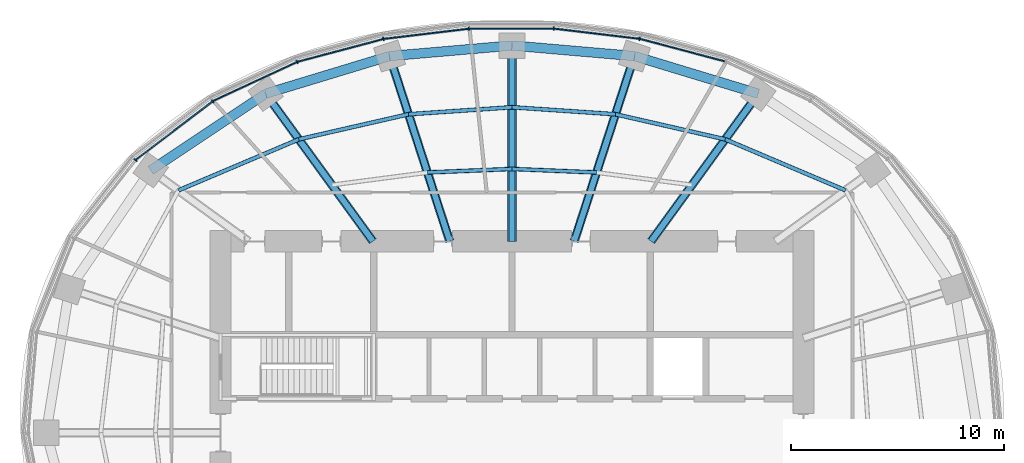
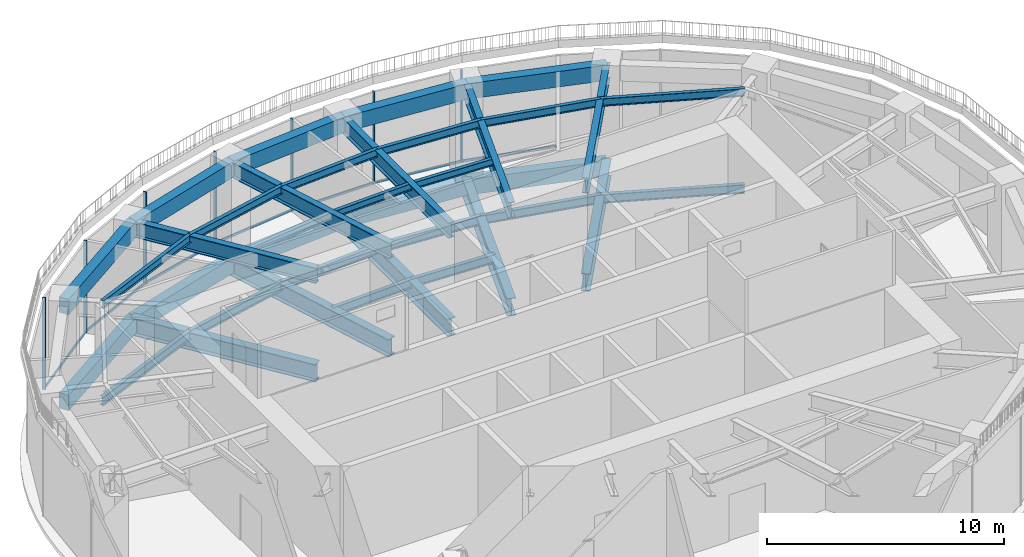
# One storey, part 7 of 19: 36 beams, 14 members, 2 elements without a shape of their own.
"""IFC4 building model written with IfcOpenShell, lengths in metres."""

from ifc_helpers import new_model, si_unit, direction, frame, origin, origin_2d, place, context, subcontext, project, spatial, rectangle, i_section, extrude, material, material_profile, profile_set, type_object, element, aggregate, save


model = new_model("IFC4")

# Units and contexts
model_context = context("Model", 3, precision=1e-05, world=origin(), true_north=direction((0.0, 1.0)))
body_context = subcontext(model_context, "Body", "Model", "MODEL_VIEW")
ifc_project = project(units=[si_unit("LENGTHUNIT", "METRE"), si_unit("AREAUNIT", "SQUARE_METRE"), si_unit("VOLUMEUNIT", "CUBIC_METRE"), si_unit("PLANEANGLEUNIT", "RADIAN"), si_unit("MASSUNIT", "GRAM", prefix="KILO")], contexts=[model_context])

# Site, building, storey
site_placement = place(None, origin())
site = spatial("IfcSite", under=ifc_project, at=site_placement, CompositionType="ELEMENT")
building_placement = place(site_placement, origin())
building = spatial("IfcBuilding", under=site, at=building_placement, Name="Marramba Exchange Tower", CompositionType="ELEMENT")
storey_placement = place(building_placement, frame((0.0, 0.0, 277.0)))
storey = spatial("IfcBuildingStorey", under=building, at=storey_placement, Name="L67", CompositionType="ELEMENT", Elevation=277.0)

# Beams
ifc_material_1 = material(Name="Steel AS/NZS 3679.1 grade 300", Category="steel")
ifc_material_profile_1 = material_profile(ifc_material_1, i_section(OverallWidth=0.1708984375, OverallDepth=0.35595703125, WebThickness=0.00732421875, FlangeThickness=0.011474609375, FilletRadius=0.011474609375, at=origin_2d()), Name="360UB50.7")
ifc_profile_set_1 = profile_set([ifc_material_profile_1], Name="Steel AS/NZS 3679.1 grade 300")
beam_type_1 = type_object("IfcBeamType", Name="Floor joist 360UB50.7", PredefinedType="JOIST", material=ifc_profile_set_1)
for number, where, z_axis, x_axis, name in (
    (1, (3.975830078125, 12.236083984375, 4.572021484375), (-0.999137002892, 0.041536122257, 0.0), (-0.041536122257, -0.999137002892, 0.0), "Joist RF bay 05 row 1"),
    (2, (0.0, 12.4013671875, 4.572021484375), (-0.999137002892, -0.041536122257, 0.0), (0.041536122257, -0.999137002892, 0.0), "Joist RF bay 06 row 1"),
):
    element("IfcBeam", number, at=place(storey_placement, frame(where, z_axis=z_axis, x_axis=x_axis)), inside=storey, type_object=beam_type_1, Name=name, PredefinedType="JOIST", context=body_context, shape_type="SweptSolid", body=[
        extrude(i_section(OverallWidth=0.1708984375, OverallDepth=0.35595703125, WebThickness=0.00732421875, FlangeThickness=0.011474609375, FilletRadius=0.011474609375, at=origin_2d()), origin(), (0.0, 0.0, 1.0), 3.979248046875),
    ])
ifc_material_profile_2 = material_profile(ifc_material_1, i_section(OverallWidth=0.177978515625, OverallDepth=0.403076171875, WebThickness=0.007568359375, FlangeThickness=0.010986328125, FilletRadius=0.011474609375, at=origin_2d()), Name="410UB53.7")
ifc_profile_set_2 = profile_set([ifc_material_profile_2], Name="Steel AS/NZS 3679.1 grade 300")
beam_type_2 = type_object("IfcBeamType", Name="Floor joist 410UB53.7", PredefinedType="JOIST", material=ifc_profile_set_2)
beam_1_placement = place(storey_placement, frame((15.682373046875, 11.393798828125, 4.548583984375), z_axis=(-0.920674336375, 0.390331610738, 0.0), x_axis=(-0.390331610738, -0.920674336375, 0.0)))
element("IfcBeam", 3, at=beam_1_placement, inside=storey, type_object=beam_type_2, Name="Joist RF bay 03 row 2", PredefinedType="JOIST", context=body_context, shape_type="SweptSolid", body=[
    extrude(i_section(OverallWidth=0.177978515625, OverallDepth=0.403076171875, WebThickness=0.007568359375, FlangeThickness=0.010986328125, FilletRadius=0.011474609375, at=origin_2d()), origin(), (0.0, 0.0, 1.0), 6.1484375),
])
beam_2_placement = place(storey_placement, frame((10.021728515625, 13.793701171875, 4.548583984375), z_axis=(-0.974859652292, 0.222819788916, 0.0), x_axis=(-0.222819788916, -0.974859652292, 0.0)))
element("IfcBeam", 4, at=beam_2_placement, inside=storey, type_object=beam_type_2, Name="Joist RF bay 04 row 2", PredefinedType="JOIST", context=body_context, shape_type="SweptSolid", body=[
    extrude(i_section(OverallWidth=0.177978515625, OverallDepth=0.403076171875, WebThickness=0.007568359375, FlangeThickness=0.010986328125, FilletRadius=0.011474609375, at=origin_2d()), origin(), (0.0, 0.0, 1.0), 5.2900390625),
])
for number, where, z_axis, x_axis, name in (
    (5, (4.86474609375, 14.972412109375, 4.548583984375), (-0.997702652202, 0.067745241816, 0.0), (-0.067745241816, -0.997702652202, 0.0), "Joist RF bay 05 row 2"),
    (6, (0.0, 15.302734375, 4.548583984375), (-0.997702652202, -0.067745241816, 0.0), (0.067745241816, -0.997702652202, 0.0), "Joist RF bay 06 row 2"),
):
    element("IfcBeam", number, at=place(storey_placement, frame(where, z_axis=z_axis, x_axis=x_axis)), inside=storey, type_object=beam_type_2, Name=name, PredefinedType="JOIST", context=body_context, shape_type="SweptSolid", body=[
        extrude(i_section(OverallWidth=0.177978515625, OverallDepth=0.403076171875, WebThickness=0.007568359375, FlangeThickness=0.010986328125, FilletRadius=0.011474609375, at=origin_2d()), origin(), (0.0, 0.0, 1.0), 4.8759765625),
    ])
beam_3_placement = place(storey_placement, frame((-4.86474609375, 14.972412109375, 4.548583984375), z_axis=(-0.974859652292, -0.222819788916, 0.0), x_axis=(0.222819788916, -0.974859652292, 0.0)))
element("IfcBeam", 7, at=beam_3_placement, inside=storey, type_object=beam_type_2, Name="Joist RF bay 07 row 2", PredefinedType="JOIST", context=body_context, shape_type="SweptSolid", body=[
    extrude(i_section(OverallWidth=0.177978515625, OverallDepth=0.403076171875, WebThickness=0.007568359375, FlangeThickness=0.010986328125, FilletRadius=0.011474609375, at=origin_2d()), origin(), (0.0, 0.0, 1.0), 5.2900390625),
])
beam_4_placement = place(storey_placement, frame((-10.021728515625, 13.793701171875, 4.548583984375), z_axis=(-0.920674336375, -0.390331610738, 0.0), x_axis=(0.390331610738, -0.920674336375, 0.0)))
element("IfcBeam", 8, at=beam_4_placement, inside=storey, type_object=beam_type_2, Name="Joist RF bay 08 row 2", PredefinedType="JOIST", context=body_context, shape_type="SweptSolid", body=[
    extrude(i_section(OverallWidth=0.177978515625, OverallDepth=0.403076171875, WebThickness=0.007568359375, FlangeThickness=0.010986328125, FilletRadius=0.011474609375, at=origin_2d()), origin(), (0.0, 0.0, 1.0), 6.1484375),
])
ifc_material_profile_3 = material_profile(ifc_material_1, i_section(OverallWidth=0.18994140625, OverallDepth=0.4541015625, WebThickness=0.008544921875, FlangeThickness=0.0126953125, FilletRadius=0.011474609375, at=origin_2d()), Name="460UB67.1")
ifc_profile_set_3 = profile_set([ifc_material_profile_3], Name="Steel AS/NZS 3679.1 grade 300")
beam_type_3 = type_object("IfcBeamType", Name="Floor joist 460UB67.1", PredefinedType="JOIST", material=ifc_profile_set_3)
beam_5_placement = place(storey_placement, frame((15.682373046875, 11.393798828125, -0.427001953125), z_axis=(-0.920674336375, 0.390331610738, 0.0), x_axis=(-0.390331610738, -0.920674336375, 0.0)))
element("IfcBeam", 9, at=beam_5_placement, inside=storey, type_object=beam_type_3, Name="Joist L67 bay 03 row 2", PredefinedType="JOIST", context=body_context, shape_type="SweptSolid", body=[
    extrude(i_section(OverallWidth=0.18994140625, OverallDepth=0.4541015625, WebThickness=0.008544921875, FlangeThickness=0.0126953125, FilletRadius=0.011474609375, at=origin_2d()), origin(), (0.0, 0.0, 1.0), 6.1484375),
])
beam_6_placement = place(storey_placement, frame((10.021728515625, 13.793701171875, -0.427001953125), z_axis=(-0.974859652292, 0.222819788916, 0.0), x_axis=(-0.222819788916, -0.974859652292, 0.0)))
element("IfcBeam", 10, at=beam_6_placement, inside=storey, type_object=beam_type_3, Name="Joist L67 bay 04 row 2", PredefinedType="JOIST", context=body_context, shape_type="SweptSolid", body=[
    extrude(i_section(OverallWidth=0.18994140625, OverallDepth=0.4541015625, WebThickness=0.008544921875, FlangeThickness=0.0126953125, FilletRadius=0.011474609375, at=origin_2d()), origin(), (0.0, 0.0, 1.0), 5.2900390625),
])
beam_7_placement = place(storey_placement, frame((3.975830078125, 12.236083984375, -0.427001953125), z_axis=(-0.999137002892, 0.041536122257, 0.0), x_axis=(-0.041536122257, -0.999137002892, 0.0)))
element("IfcBeam", 11, at=beam_7_placement, inside=storey, type_object=beam_type_3, Name="Joist L67 bay 05 row 1", PredefinedType="JOIST", context=body_context, shape_type="SweptSolid", body=[
    extrude(i_section(OverallWidth=0.18994140625, OverallDepth=0.4541015625, WebThickness=0.008544921875, FlangeThickness=0.0126953125, FilletRadius=0.011474609375, at=origin_2d()), origin(), (0.0, 0.0, 1.0), 3.979248046875),
])
beam_8_placement = place(storey_placement, frame((4.86474609375, 14.972412109375, -0.427001953125), z_axis=(-0.997702652202, 0.067745241816, 0.0), x_axis=(-0.067745241816, -0.997702652202, 0.0)))
element("IfcBeam", 12, at=beam_8_placement, inside=storey, type_object=beam_type_3, Name="Joist L67 bay 05 row 2", PredefinedType="JOIST", context=body_context, shape_type="SweptSolid", body=[
    extrude(i_section(OverallWidth=0.18994140625, OverallDepth=0.4541015625, WebThickness=0.008544921875, FlangeThickness=0.0126953125, FilletRadius=0.011474609375, at=origin_2d()), origin(), (0.0, 0.0, 1.0), 4.8759765625),
])
beam_9_placement = place(storey_placement, frame((0.0, 12.4013671875, -0.427001953125), z_axis=(-0.999137002892, -0.041536122257, 0.0), x_axis=(0.041536122257, -0.999137002892, 0.0)))
element("IfcBeam", 13, at=beam_9_placement, inside=storey, type_object=beam_type_3, Name="Joist L67 bay 06 row 1", PredefinedType="JOIST", context=body_context, shape_type="SweptSolid", body=[
    extrude(i_section(OverallWidth=0.18994140625, OverallDepth=0.4541015625, WebThickness=0.008544921875, FlangeThickness=0.0126953125, FilletRadius=0.011474609375, at=origin_2d()), origin(), (0.0, 0.0, 1.0), 3.979248046875),
])
beam_10_placement = place(storey_placement, frame((0.0, 15.302734375, -0.427001953125), z_axis=(-0.997702652202, -0.067745241816, 0.0), x_axis=(0.067745241816, -0.997702652202, 0.0)))
element("IfcBeam", 14, at=beam_10_placement, inside=storey, type_object=beam_type_3, Name="Joist L67 bay 06 row 2", PredefinedType="JOIST", context=body_context, shape_type="SweptSolid", body=[
    extrude(i_section(OverallWidth=0.18994140625, OverallDepth=0.4541015625, WebThickness=0.008544921875, FlangeThickness=0.0126953125, FilletRadius=0.011474609375, at=origin_2d()), origin(), (0.0, 0.0, 1.0), 4.8759765625),
])
beam_11_placement = place(storey_placement, frame((-4.86474609375, 14.972412109375, -0.427001953125), z_axis=(-0.974859652292, -0.222819788916, 0.0), x_axis=(0.222819788916, -0.974859652292, 0.0)))
element("IfcBeam", 15, at=beam_11_placement, inside=storey, type_object=beam_type_3, Name="Joist L67 bay 07 row 2", PredefinedType="JOIST", context=body_context, shape_type="SweptSolid", body=[
    extrude(i_section(OverallWidth=0.18994140625, OverallDepth=0.4541015625, WebThickness=0.008544921875, FlangeThickness=0.0126953125, FilletRadius=0.011474609375, at=origin_2d()), origin(), (0.0, 0.0, 1.0), 5.2900390625),
])
beam_12_placement = place(storey_placement, frame((-10.021728515625, 13.793701171875, -0.427001953125), z_axis=(-0.920674336375, -0.390331610738, 0.0), x_axis=(0.390331610738, -0.920674336375, 0.0)))
element("IfcBeam", 16, at=beam_12_placement, inside=storey, type_object=beam_type_3, Name="Joist L67 bay 08 row 2", PredefinedType="JOIST", context=body_context, shape_type="SweptSolid", body=[
    extrude(i_section(OverallWidth=0.18994140625, OverallDepth=0.4541015625, WebThickness=0.008544921875, FlangeThickness=0.0126953125, FilletRadius=0.011474609375, at=origin_2d()), origin(), (0.0, 0.0, 1.0), 6.1484375),
])

# Curtain wall, members
ifc_material_2 = material(Name="Aluminium framing, bronze anodised", Category="aluminium")
curtain_wall_type = type_object("IfcCurtainWallType", Name="Plant floor louvred curtain wall", PredefinedType="USERDEFINED", material=ifc_material_2)
curtain_wall_1_placement = place(storey_placement, origin())
curtain_wall_1 = element("IfcCurtainWall", 17, at=curtain_wall_1_placement, inside=storey, type_object=curtain_wall_type, Name="Curtain wall CW6 L67 F06-F10", ObjectType="RIBBON CURTAIN WALL", PredefinedType="USERDEFINED")
ifc_material_3 = material(Name="Aluminium mullion, bronze anodised", Category="aluminium")
ifc_material_profile_4 = material_profile(ifc_material_3, rectangle(XDim=0.159912109375, YDim=0.06005859375, at=origin_2d()), Name="CW6 mullion 60x160")
ifc_profile_set_4 = profile_set([ifc_material_profile_4], Name="Aluminium mullion, bronze anodised")
member_type_1 = type_object("IfcMemberType", Name="Plant floor louvred curtain wall mullion", PredefinedType="MULLION", material=ifc_profile_set_4)
member_1_placement = place(storey_placement, frame((5.98681640625, 18.5205078125, 0.0), z_axis=(0.0, 0.0, 1.0), x_axis=(-0.118556954505, -0.992947253654, 0.0)))
member_1 = element("IfcMember", 18, at=member_1_placement, type_object=member_type_1, Name="CW6 mullion 1", PredefinedType="MULLION", context=body_context, shape_type="SweptSolid", body=[
    extrude(rectangle(XDim=0.159912109375, YDim=0.06005859375, at=origin_2d()), origin(), (0.0, 0.0, 1.0), 4.75),
])
member_2_placement = place(storey_placement, frame((1.966552734375, 18.9970703125, 0.0), z_axis=(0.0, 0.0, 1.0), x_axis=(0.0, -1.0, 0.0)))
member_2 = element("IfcMember", 19, at=member_2_placement, type_object=member_type_1, Name="CW6 mullion 1", PredefinedType="MULLION", context=body_context, shape_type="SweptSolid", body=[
    extrude(rectangle(XDim=0.159912109375, YDim=0.06005859375, at=origin_2d()), origin(), (0.0, 0.0, 1.0), 4.75),
])
member_3_placement = place(storey_placement, frame((-2.0263671875, 18.993408203125, 0.0), z_axis=(0.0, 0.0, 1.0), x_axis=(0.118556954505, -0.992947253654, 0.0)))
member_3 = element("IfcMember", 20, at=member_3_placement, type_object=member_type_1, Name="CW6 mullion 1", PredefinedType="MULLION", context=body_context, shape_type="SweptSolid", body=[
    extrude(rectangle(XDim=0.159912109375, YDim=0.06005859375, at=origin_2d()), origin(), (0.0, 0.0, 1.0), 4.75),
])
member_4_placement = place(storey_placement, frame((-6.045654296875, 18.50927734375, 0.0), z_axis=(0.0, 0.0, 1.0), x_axis=(0.256125574813, -0.966643517501, 0.0)))
member_4 = element("IfcMember", 21, at=member_4_placement, type_object=member_type_1, Name="CW6 mullion 1", PredefinedType="MULLION", context=body_context, shape_type="SweptSolid", body=[
    extrude(rectangle(XDim=0.159912109375, YDim=0.06005859375, at=origin_2d()), origin(), (0.0, 0.0, 1.0), 4.75),
])

curtain_wall_2_placement = place(storey_placement, origin())
curtain_wall_2 = element("IfcCurtainWall", 22, at=curtain_wall_2_placement, inside=storey, type_object=curtain_wall_type, Name="Curtain wall CW6 L67 F11-F15", ObjectType="RIBBON CURTAIN WALL", PredefinedType="USERDEFINED")
member_5_placement = place(storey_placement, frame((-10.097900390625, 17.43017578125, 0.0), z_axis=(0.0, 0.0, 1.0), x_axis=(0.420849274712, -0.90713057934, 0.0)))
member_5 = element("IfcMember", 23, at=member_5_placement, type_object=member_type_1, Name="CW6 mullion 1", PredefinedType="MULLION", context=body_context, shape_type="SweptSolid", body=[
    extrude(rectangle(XDim=0.159912109375, YDim=0.06005859375, at=origin_2d()), origin(), (0.0, 0.0, 1.0), 4.75),
])
member_6_placement = place(storey_placement, frame((-14.069091796875, 15.58056640625, 0.0), z_axis=(0.0, 0.0, 1.0), x_axis=(0.605219156516, -0.796058900199, 0.0)))
member_6 = element("IfcMember", 24, at=member_6_placement, type_object=member_type_1, Name="CW6 mullion 1", PredefinedType="MULLION", context=body_context, shape_type="SweptSolid", body=[
    extrude(rectangle(XDim=0.159912109375, YDim=0.06005859375, at=origin_2d()), origin(), (0.0, 0.0, 1.0), 4.75),
])
member_7_placement = place(storey_placement, frame((-17.69189453125, 12.81689453125, 0.0), z_axis=(0.0, 0.0, 1.0), x_axis=(0.786002861604, -0.618222857512, 0.0)))
member_7 = element("IfcMember", 25, at=member_7_placement, type_object=member_type_1, Name="CW6 mullion 1", PredefinedType="MULLION", context=body_context, shape_type="SweptSolid", body=[
    extrude(rectangle(XDim=0.159912109375, YDim=0.06005859375, at=origin_2d()), origin(), (0.0, 0.0, 1.0), 4.75),
])

# Member
ifc_material_4 = material(Name="Aluminium transom, bronze anodised", Category="aluminium")
ifc_material_profile_5 = material_profile(ifc_material_4, rectangle(XDim=0.06005859375, YDim=0.1201171875, at=origin_2d()), Name="CW6 transom 60x120")
ifc_profile_set_5 = profile_set([ifc_material_profile_5], Name="Aluminium transom, bronze anodised")
member_type_2 = type_object("IfcMemberType", Name="Plant floor louvred curtain wall transom", PredefinedType="USERDEFINED", material=ifc_profile_set_5)
member_8_placement = place(storey_placement, frame((10.0126953125, 17.458251953125, 0.030029296875), z_axis=(-0.966642465832, 0.256129543885, 0.0), x_axis=(-0.256129543885, -0.966642465832, 0.0)))
member_8 = element("IfcMember", 26, at=member_8_placement, type_object=member_type_2, Name="CW6 sill transom", ObjectType="TRANSOM", PredefinedType="USERDEFINED", context=body_context, shape_type="SweptSolid", body=[
    extrude(rectangle(XDim=0.06005859375, YDim=0.1201171875, at=origin_2d()), origin(), (0.0, 0.0, 1.0), 4.134033203125),
])

member_9_placement = place(storey_placement, frame((5.95703125, 18.524169921875, 0.030029296875), z_axis=(-0.992946470513, 0.118563513339, 0.0), x_axis=(-0.118563513339, -0.992946470513, 0.0)))
member_9 = element("IfcMember", 27, at=member_9_placement, type_object=member_type_2, Name="CW6 sill transom", ObjectType="TRANSOM", PredefinedType="USERDEFINED", context=body_context, shape_type="SweptSolid", body=[
    extrude(rectangle(XDim=0.06005859375, YDim=0.1201171875, at=origin_2d()), origin(), (0.0, 0.0, 1.0), 3.988525390625),
])

member_10_placement = place(storey_placement, frame((1.936767578125, 18.9970703125, 0.030029296875), z_axis=(-1.0, 0.0, 0.0), x_axis=(0.0, -1.0, 0.0)))
member_10 = element("IfcMember", 28, at=member_10_placement, type_object=member_type_2, Name="CW6 sill transom", ObjectType="TRANSOM", PredefinedType="USERDEFINED", context=body_context, shape_type="SweptSolid", body=[
    extrude(rectangle(XDim=0.06005859375, YDim=0.1201171875, at=origin_2d()), origin(), (0.0, 0.0, 1.0), 3.933349609375),
])

member_11_placement = place(storey_placement, frame((-2.05615234375, 18.98974609375, 0.030029296875), z_axis=(-0.992953674799, -0.11850316326, 0.0), x_axis=(0.11850316326, -0.992953674799, 0.0)))
member_11 = element("IfcMember", 29, at=member_11_placement, type_object=member_type_2, Name="CW6 sill transom", ObjectType="TRANSOM", PredefinedType="USERDEFINED", context=body_context, shape_type="SweptSolid", body=[
    extrude(rectangle(XDim=0.06005859375, YDim=0.1201171875, at=origin_2d()), origin(), (0.0, 0.0, 1.0), 3.988525390625),
])

member_12_placement = place(storey_placement, frame((-6.074462890625, 18.501708984375, 0.030029296875), z_axis=(-0.966642465832, -0.256129543885, 0.0), x_axis=(0.256129543885, -0.966642465832, 0.0)))
member_12 = element("IfcMember", 30, at=member_12_placement, type_object=member_type_2, Name="CW6 sill transom", ObjectType="TRANSOM", PredefinedType="USERDEFINED", context=body_context, shape_type="SweptSolid", body=[
    extrude(rectangle(XDim=0.06005859375, YDim=0.1201171875, at=origin_2d()), origin(), (0.0, 0.0, 1.0), 4.134033203125),
])

aggregate(curtain_wall_1, [member_8, member_1, member_9, member_2, member_10, member_3, member_11, member_4, member_12])

member_13_placement = place(storey_placement, frame((-10.125, 17.41748046875, 0.030029296875), z_axis=(-0.907139165053, -0.420830767919, 0.0), x_axis=(0.420830767919, -0.907139165053, 0.0)))
member_13 = element("IfcMember", 31, at=member_13_placement, type_object=member_type_2, Name="CW6 sill transom", ObjectType="TRANSOM", PredefinedType="USERDEFINED", context=body_context, shape_type="SweptSolid", body=[
    extrude(rectangle(XDim=0.06005859375, YDim=0.1201171875, at=origin_2d()), origin(), (0.0, 0.0, 1.0), 4.321533203125),
])

member_14_placement = place(storey_placement, frame((-14.093017578125, 15.5625, 0.030029296875), z_axis=(-0.796068041642, -0.605207132374, 0.0), x_axis=(0.605207132374, -0.796068041642, 0.0)))
member_14 = element("IfcMember", 32, at=member_14_placement, type_object=member_type_2, Name="CW6 sill transom", ObjectType="TRANSOM", PredefinedType="USERDEFINED", context=body_context, shape_type="SweptSolid", body=[
    extrude(rectangle(XDim=0.06005859375, YDim=0.1201171875, at=origin_2d()), origin(), (0.0, 0.0, 1.0), 4.49755859375),
])

aggregate(curtain_wall_2, [member_5, member_13, member_6, member_14, member_7])

# Beams
ifc_material_5 = material(Name="Steel AS/NZS 3679.2 grade 300", Category="steel")
ifc_material_profile_6 = material_profile(ifc_material_5, i_section(OverallWidth=0.300048828125, OverallDepth=0.800048828125, WebThickness=0.013916015625, FlangeThickness=0.031982421875, at=origin_2d()), Name="800WB192")
ifc_profile_set_6 = profile_set([ifc_material_profile_6], Name="Steel AS/NZS 3679.2 grade 300")
beam_type_4 = type_object("IfcBeamType", Name="Radial girder 800WB192", PredefinedType="BEAM", material=ifc_profile_set_6)
beam_13_placement = place(storey_placement, frame((6.538818359375, 9.0, 4.35009765625), z_axis=(0.587782439969, 0.80901903764, 0.0), x_axis=(-0.80901903764, 0.587782439969, 0.0)))
element("IfcBeam", 33, at=beam_13_placement, inside=storey, type_object=beam_type_4, Name="Radial girder RF TC04", PredefinedType="BEAM", context=body_context, shape_type="SweptSolid", body=[
    extrude(i_section(OverallWidth=0.300048828125, OverallDepth=0.800048828125, WebThickness=0.013916015625, FlangeThickness=0.031982421875, at=origin_2d()), origin(), (0.0, 0.0, 1.0), 8.578857421875),
])
beam_14_placement = place(storey_placement, frame((2.92431640625, 9.0, 4.35009765625), z_axis=(0.309019754162, 0.951055619582, 0.0), x_axis=(-0.951055619582, 0.309019754162, 0.0)))
element("IfcBeam", 34, at=beam_14_placement, inside=storey, type_object=beam_type_4, Name="Radial girder RF TC05", PredefinedType="BEAM", context=body_context, shape_type="SweptSolid", body=[
    extrude(i_section(OverallWidth=0.300048828125, OverallDepth=0.800048828125, WebThickness=0.013916015625, FlangeThickness=0.031982421875, at=origin_2d()), origin(), (0.0, 0.0, 1.0), 9.15673828125),
])
beam_15_placement = place(storey_placement, frame((0.0, 9.0, 4.35009765625), z_axis=(0.0, 1.0, 0.0), x_axis=(-1.0, 0.0, 0.0)))
element("IfcBeam", 35, at=beam_15_placement, inside=storey, type_object=beam_type_4, Name="Radial girder RF TC06", PredefinedType="BEAM", context=body_context, shape_type="SweptSolid", body=[
    extrude(i_section(OverallWidth=0.300048828125, OverallDepth=0.800048828125, WebThickness=0.013916015625, FlangeThickness=0.031982421875, at=origin_2d()), origin(), (0.0, 0.0, 1.0), 9.2041015625),
])
beam_16_placement = place(storey_placement, frame((-2.92431640625, 9.0, 4.35009765625), z_axis=(-0.309019754162, 0.951055619582, 0.0), x_axis=(-0.951055619582, -0.309019754162, 0.0)))
element("IfcBeam", 36, at=beam_16_placement, inside=storey, type_object=beam_type_4, Name="Radial girder RF TC07", PredefinedType="BEAM", context=body_context, shape_type="SweptSolid", body=[
    extrude(i_section(OverallWidth=0.300048828125, OverallDepth=0.800048828125, WebThickness=0.013916015625, FlangeThickness=0.031982421875, at=origin_2d()), origin(), (0.0, 0.0, 1.0), 9.15673828125),
])
beam_17_placement = place(storey_placement, frame((-6.538818359375, 9.0, 4.35009765625), z_axis=(-0.587782439969, 0.80901903764, 0.0), x_axis=(-0.80901903764, -0.587782439969, 0.0)))
element("IfcBeam", 37, at=beam_17_placement, inside=storey, type_object=beam_type_4, Name="Radial girder RF TC08", PredefinedType="BEAM", context=body_context, shape_type="SweptSolid", body=[
    extrude(i_section(OverallWidth=0.300048828125, OverallDepth=0.800048828125, WebThickness=0.013916015625, FlangeThickness=0.031982421875, at=origin_2d()), origin(), (0.0, 0.0, 1.0), 8.578857421875),
])
ifc_material_profile_7 = material_profile(ifc_material_5, i_section(OverallWidth=0.39990234375, OverallDepth=0.89990234375, WebThickness=0.01611328125, FlangeThickness=0.031982421875, at=origin_2d()), Name="900WB282")
ifc_profile_set_7 = profile_set([ifc_material_profile_7], Name="Steel AS/NZS 3679.2 grade 300")
beam_type_5 = type_object("IfcBeamType", Name="Radial girder 900WB282", PredefinedType="BEAM", material=ifc_profile_set_7)
beam_18_placement = place(storey_placement, frame((6.538818359375, 9.0, -0.64990234375), z_axis=(0.587782439969, 0.80901903764, 0.0), x_axis=(-0.80901903764, 0.587782439969, 0.0)))
element("IfcBeam", 38, at=beam_18_placement, inside=storey, type_object=beam_type_5, Name="Radial girder L67 TC04", PredefinedType="BEAM", context=body_context, shape_type="SweptSolid", body=[
    extrude(i_section(OverallWidth=0.39990234375, OverallDepth=0.89990234375, WebThickness=0.01611328125, FlangeThickness=0.031982421875, at=origin_2d()), origin(), (0.0, 0.0, 1.0), 8.578857421875),
])
beam_19_placement = place(storey_placement, frame((2.92431640625, 9.0, -0.64990234375), z_axis=(0.309019754162, 0.951055619582, 0.0), x_axis=(-0.951055619582, 0.309019754162, 0.0)))
element("IfcBeam", 39, at=beam_19_placement, inside=storey, type_object=beam_type_5, Name="Radial girder L67 TC05", PredefinedType="BEAM", context=body_context, shape_type="SweptSolid", body=[
    extrude(i_section(OverallWidth=0.39990234375, OverallDepth=0.89990234375, WebThickness=0.01611328125, FlangeThickness=0.031982421875, at=origin_2d()), origin(), (0.0, 0.0, 1.0), 9.15673828125),
])
beam_20_placement = place(storey_placement, frame((0.0, 9.0, -0.64990234375), z_axis=(0.0, 1.0, 0.0), x_axis=(-1.0, 0.0, 0.0)))
element("IfcBeam", 40, at=beam_20_placement, inside=storey, type_object=beam_type_5, Name="Radial girder L67 TC06", PredefinedType="BEAM", context=body_context, shape_type="SweptSolid", body=[
    extrude(i_section(OverallWidth=0.39990234375, OverallDepth=0.89990234375, WebThickness=0.01611328125, FlangeThickness=0.031982421875, at=origin_2d()), origin(), (0.0, 0.0, 1.0), 9.2041015625),
])
beam_21_placement = place(storey_placement, frame((-2.92431640625, 9.0, -0.64990234375), z_axis=(-0.309019754162, 0.951055619582, 0.0), x_axis=(-0.951055619582, -0.309019754162, 0.0)))
element("IfcBeam", 41, at=beam_21_placement, inside=storey, type_object=beam_type_5, Name="Radial girder L67 TC07", PredefinedType="BEAM", context=body_context, shape_type="SweptSolid", body=[
    extrude(i_section(OverallWidth=0.39990234375, OverallDepth=0.89990234375, WebThickness=0.01611328125, FlangeThickness=0.031982421875, at=origin_2d()), origin(), (0.0, 0.0, 1.0), 9.15673828125),
])
beam_22_placement = place(storey_placement, frame((-6.538818359375, 9.0, -0.64990234375), z_axis=(-0.587782439969, 0.80901903764, 0.0), x_axis=(-0.80901903764, -0.587782439969, 0.0)))
element("IfcBeam", 42, at=beam_22_placement, inside=storey, type_object=beam_type_5, Name="Radial girder L67 TC08", PredefinedType="BEAM", context=body_context, shape_type="SweptSolid", body=[
    extrude(i_section(OverallWidth=0.39990234375, OverallDepth=0.89990234375, WebThickness=0.01611328125, FlangeThickness=0.031982421875, at=origin_2d()), origin(), (0.0, 0.0, 1.0), 8.578857421875),
])
ifc_material_6 = material(Name="Concrete N50", Category="concrete")
ifc_material_profile_8 = material_profile(ifc_material_6, rectangle(XDim=0.449951171875, YDim=0.800048828125, at=origin_2d()), Name="RC 450x800")
ifc_profile_set_8 = profile_set([ifc_material_profile_8], Name="Concrete N50")
beam_type_6 = type_object("IfcBeamType", Name="Ring beam RC 450x800 N50", PredefinedType="SPANDREL", material=ifc_profile_set_8)
beam_23_placement = place(storey_placement, frame((11.581298828125, 15.9404296875, -0.60009765625), z_axis=(-0.956924542524, 0.290336735387, 0.0), x_axis=(-0.290336735387, -0.956924542524, 0.0)))
element("IfcBeam", 43, at=beam_23_placement, inside=storey, type_object=beam_type_6, Name="Ring beam L67 TC04-TC05", PredefinedType="SPANDREL", context=body_context, shape_type="SweptSolid", body=[
    extrude(rectangle(XDim=0.449951171875, YDim=0.800048828125, at=origin_2d()), origin(), (0.0, 0.0, 1.0), 6.089599609375),
])
for number, where, z_axis, x_axis, name in (
    (44, (5.75390625, 17.70849609375, -0.60009765625), (-0.996311003275, 0.085815993578, 0.0), (-0.085815993578, -0.996311003275, 0.0), "Ring beam L67 TC05-TC06"),
    (45, (0.0, 18.2041015625, -0.60009765625), (-0.996311003275, -0.085815993578, 0.0), (0.085815993578, -0.996311003275, 0.0), "Ring beam L67 TC06-TC07"),
):
    element("IfcBeam", number, at=place(storey_placement, frame(where, z_axis=z_axis, x_axis=x_axis)), inside=storey, type_object=beam_type_6, Name=name, PredefinedType="SPANDREL", context=body_context, shape_type="SweptSolid", body=[
        extrude(rectangle(XDim=0.449951171875, YDim=0.800048828125, at=origin_2d()), origin(), (0.0, 0.0, 1.0), 5.775146484375),
    ])
beam_24_placement = place(storey_placement, frame((-5.75390625, 17.70849609375, -0.60009765625), z_axis=(-0.956924542524, -0.290336735387, 0.0), x_axis=(0.290336735387, -0.956924542524, 0.0)))
element("IfcBeam", 46, at=beam_24_placement, inside=storey, type_object=beam_type_6, Name="Ring beam L67 TC07-TC08", PredefinedType="SPANDREL", context=body_context, shape_type="SweptSolid", body=[
    extrude(rectangle(XDim=0.449951171875, YDim=0.800048828125, at=origin_2d()), origin(), (0.0, 0.0, 1.0), 6.089599609375),
])
beam_25_placement = place(storey_placement, frame((-11.581298828125, 15.9404296875, -0.60009765625), z_axis=(-0.832293151443, -0.554335737673, 0.0), x_axis=(0.554335737673, -0.832293151443, 0.0)))
element("IfcBeam", 47, at=beam_25_placement, inside=storey, type_object=beam_type_6, Name="Ring beam L67 TC08-TC09", PredefinedType="SPANDREL", context=body_context, shape_type="SweptSolid", body=[
    extrude(rectangle(XDim=0.449951171875, YDim=0.800048828125, at=origin_2d()), origin(), (0.0, 0.0, 1.0), 6.49365234375),
])
beam_26_placement = place(storey_placement, frame((11.581298828125, 15.9404296875, 4.35009765625), z_axis=(-0.956924542524, 0.290336735387, 0.0), x_axis=(-0.290336735387, -0.956924542524, 0.0)))
element("IfcBeam", 48, at=beam_26_placement, inside=storey, type_object=beam_type_6, Name="Ring beam RF TC04-TC05", PredefinedType="SPANDREL", context=body_context, shape_type="SweptSolid", body=[
    extrude(rectangle(XDim=0.449951171875, YDim=0.800048828125, at=origin_2d()), origin(), (0.0, 0.0, 1.0), 6.089599609375),
])
for number, where, z_axis, x_axis, name in (
    (49, (5.75390625, 17.70849609375, 4.35009765625), (-0.996311003275, 0.085815993578, 0.0), (-0.085815993578, -0.996311003275, 0.0), "Ring beam RF TC05-TC06"),
    (50, (0.0, 18.2041015625, 4.35009765625), (-0.996311003275, -0.085815993578, 0.0), (0.085815993578, -0.996311003275, 0.0), "Ring beam RF TC06-TC07"),
):
    element("IfcBeam", number, at=place(storey_placement, frame(where, z_axis=z_axis, x_axis=x_axis)), inside=storey, type_object=beam_type_6, Name=name, PredefinedType="SPANDREL", context=body_context, shape_type="SweptSolid", body=[
        extrude(rectangle(XDim=0.449951171875, YDim=0.800048828125, at=origin_2d()), origin(), (0.0, 0.0, 1.0), 5.775146484375),
    ])
beam_27_placement = place(storey_placement, frame((-5.75390625, 17.70849609375, 4.35009765625), z_axis=(-0.956924542524, -0.290336735387, 0.0), x_axis=(0.290336735387, -0.956924542524, 0.0)))
element("IfcBeam", 51, at=beam_27_placement, inside=storey, type_object=beam_type_6, Name="Ring beam RF TC07-TC08", PredefinedType="SPANDREL", context=body_context, shape_type="SweptSolid", body=[
    extrude(rectangle(XDim=0.449951171875, YDim=0.800048828125, at=origin_2d()), origin(), (0.0, 0.0, 1.0), 6.089599609375),
])
beam_28_placement = place(storey_placement, frame((-11.581298828125, 15.9404296875, 4.35009765625), z_axis=(-0.832293151443, -0.554335737673, 0.0), x_axis=(0.554335737673, -0.832293151443, 0.0)))
element("IfcBeam", 52, at=beam_28_placement, inside=storey, type_object=beam_type_6, Name="Ring beam RF TC08-TC09", PredefinedType="SPANDREL", context=body_context, shape_type="SweptSolid", body=[
    extrude(rectangle(XDim=0.449951171875, YDim=0.800048828125, at=origin_2d()), origin(), (0.0, 0.0, 1.0), 6.49365234375),
])

save(model, "model.ifc")
